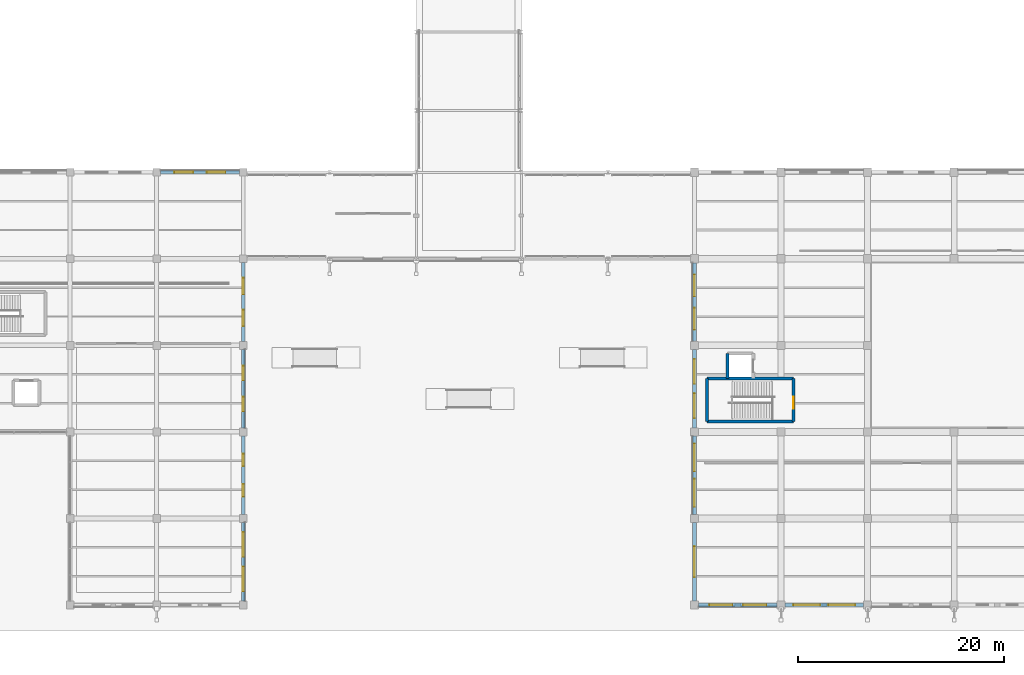
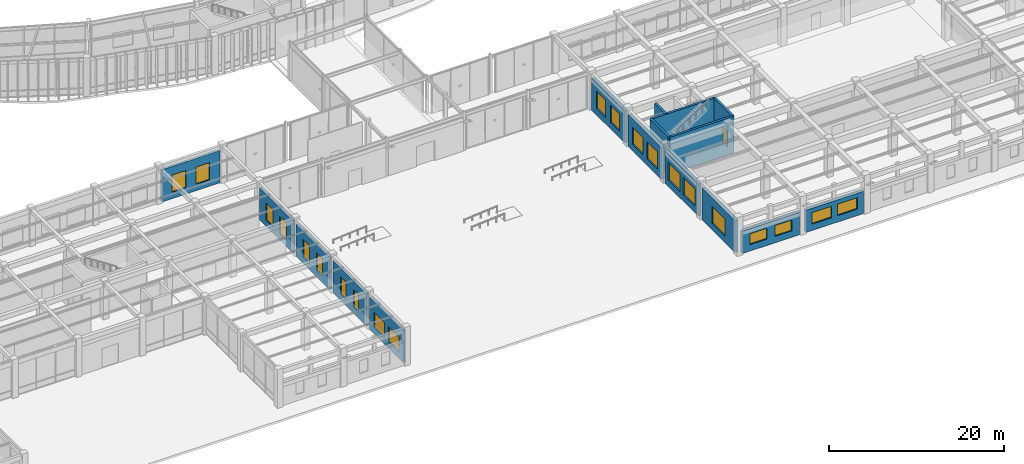
# One storey, part 126 of 157: 21 windows, 16 walls, 1 door, 22 openings.
"""IFC4 building model written with IfcOpenShell, lengths in metres."""

from ifc_helpers import new_model, si_unit, direction, frame, frame_2d, origin, place, context, subcontext, project, spatial, rectangle, extrude, material, layer, layer_set, type_object, element, fill, save


model = new_model("IFC4")

# Units and contexts
model_context = context("Model", 3, precision=1e-05, world=origin(), true_north=direction((0.0, 1.0)))
body_context = subcontext(model_context, "Body", "Model", "MODEL_VIEW")
ifc_project = project(units=[si_unit("LENGTHUNIT", "METRE"), si_unit("AREAUNIT", "SQUARE_METRE"), si_unit("VOLUMEUNIT", "CUBIC_METRE"), si_unit("PLANEANGLEUNIT", "RADIAN"), si_unit("MASSUNIT", "GRAM", prefix="KILO"), si_unit("THERMODYNAMICTEMPERATUREUNIT", "KELVIN"), si_unit("POWERUNIT", "WATT")], contexts=[model_context])

# Site, building, storey
site_placement = place(None, origin())
site = spatial("IfcSite", under=ifc_project, at=site_placement, CompositionType="ELEMENT")
building_placement = place(site_placement, origin())
building = spatial("IfcBuilding", under=site, at=building_placement, Name="Darbajah Civic Hall", CompositionType="ELEMENT")
storey_placement = place(building_placement, origin())
storey = spatial("IfcBuildingStorey", under=building, at=storey_placement, Name="L00", CompositionType="ELEMENT", Elevation=0.0)

# Wall
ifc_material_1 = material(Name="Concrete C45/55", Category="concrete")
ifc_layer_1 = layer(ifc_material_1, 0.300048828125, Name="Concrete C45/55")
ifc_layer_set_1 = layer_set([ifc_layer_1], Name="Concrete C45/55")
wall_type_1 = type_object("IfcWallType", Name="Core Shear Wall 300mm", PredefinedType="SHEAR", material=ifc_layer_set_1)
wall_1_placement = place(storey_placement, frame((112.199951171875, 17.800048828125, 0.0), z_axis=(0.0, 0.0, 1.0), x_axis=(1.0, 0.0, 0.0)))
element("IfcWall", 1, at=wall_1_placement, inside=storey, type_object=wall_type_1, Name="L00 core C06 shear wall S", PredefinedType="SHEAR", context=body_context, shape_type="SweptSolid", body=[
    extrude(rectangle(XDim=8.400146484375, YDim=0.300048828125, at=frame_2d((4.2001953125, 0.0))), origin(), (0.0, 0.0, 1.0), 5.1201171875),
])

# Wall, opening, door
wall_2_placement = place(storey_placement, frame((120.60009765625, 17.800048828125, 0.0), z_axis=(0.0, 0.0, 1.0), x_axis=(0.0, 1.0, 0.0)))
wall_2 = element("IfcWall", 2, at=wall_2_placement, inside=storey, type_object=wall_type_1, Name="L00 core C06 shear wall E", PredefinedType="SHEAR", context=body_context, shape_type="SweptSolid", body=[
    extrude(rectangle(XDim=4.199951171875, YDim=0.300048828125, at=frame_2d((2.10009765625, 0.0))), origin(), (0.0, 0.0, 1.0), 5.1201171875),
])
opening_1_placement = place(wall_2_placement, frame((1.25, 0.0, 0.0)))
opening_1 = element("IfcOpeningElement", 3, at=opening_1_placement, cuts=wall_2, Name="Opening SD-0073", PredefinedType="OPENING", context=body_context, shape_type="SweptSolid", body=[
    extrude(rectangle(XDim=1.14990234375, YDim=2.199951171875, at=frame_2d((0.574951171875, 1.10009765625))), frame((0.0, 0.159912109375, 0.0), z_axis=(0.0, -1.0, 0.0), x_axis=(1.0, 0.0, 0.0)), (0.0, 0.0, 1.0), 0.320068359375),
])
ifc_material_2 = material(Name="Steel Rated Core Door", Category="steel")
door_type = type_object("IfcDoorType", Name="Interior Door 1150x2200", OperationType="NOTDEFINED", PredefinedType="DOOR", material=ifc_material_2)
door_placement = place(opening_1_placement, frame((1.14990234375, 0.0, 0.0), z_axis=(0.0, 0.0, 1.0), x_axis=(-1.0, 0.0, 0.0)))
door = element("IfcDoor", 4, at=door_placement, inside=storey, type_object=door_type, Name="L00 stair ST06 fire door SD-0073", OperationType="SINGLE_SWING_RIGHT", OverallHeight=2.199951171875, OverallWidth=1.14990234375, PredefinedType="DOOR", context=body_context, shape_type="SweptSolid", body=[
    extrude(rectangle(XDim=1.14990234375, YDim=2.199951171875, at=frame_2d((0.574951171875, 1.10009765625))), frame((0.0, 0.02490234375, 0.0), z_axis=(0.0, -1.0, 0.0), x_axis=(1.0, 0.0, 0.0)), (0.0, 0.0, 1.0), 0.050048828125),
])
fill(opening_1, door)

# Walls
wall_3_placement = place(storey_placement, frame((120.60009765625, 22.0, 0.0), z_axis=(0.0, 0.0, 1.0), x_axis=(-1.0, 0.0, 0.0)))
element("IfcWall", 5, at=wall_3_placement, inside=storey, type_object=wall_type_1, Name="L00 core C06 shear wall N", PredefinedType="SHEAR", context=body_context, shape_type="SweptSolid", body=[
    extrude(rectangle(XDim=8.400146484375, YDim=0.300048828125, at=frame_2d((4.2001953125, 0.0))), origin(), (0.0, 0.0, 1.0), 5.1201171875),
])
wall_4_placement = place(storey_placement, frame((112.199951171875, 22.0, 0.0), z_axis=(0.0, 0.0, 1.0), x_axis=(0.0, -1.0, 0.0)))
element("IfcWall", 6, at=wall_4_placement, inside=storey, type_object=wall_type_1, Name="L00 core C06 shear wall W", PredefinedType="SHEAR", context=body_context, shape_type="SweptSolid", body=[
    extrude(rectangle(XDim=4.199951171875, YDim=0.300048828125, at=frame_2d((2.10009765625, 0.0))), origin(), (0.0, 0.0, 1.0), 5.1201171875),
])
wall_5_placement = place(storey_placement, frame((114.199951171875, 24.39990234375, 0.0), z_axis=(0.0, 0.0, 1.0), x_axis=(0.0, -1.0, 0.0)))
element("IfcWall", 7, at=wall_5_placement, inside=storey, type_object=wall_type_1, Name="L00 lift PL3 shaft wall W", PredefinedType="SHEAR", context=body_context, shape_type="SweptSolid", body=[
    extrude(rectangle(XDim=2.39990234375, YDim=0.300048828125, at=frame_2d((1.199951171875, 0.0))), origin(), (0.0, 0.0, 1.0), 5.1201171875),
])

# Wall, openings, windows
ifc_material_3 = material(Name="Red Dholpur Sandstone Cladding", Category="masonry")
ifc_layer_2 = layer(ifc_material_3, 0.31005859375, Name="Red Dholpur Sandstone Cladding")
ifc_layer_set_2 = layer_set([ifc_layer_2], Name="Red Dholpur Sandstone Cladding")
wall_type_2 = type_object("IfcWallType", Name="Exterior Wall 310mm", PredefinedType="SOLIDWALL", material=ifc_layer_set_2)
wall_6_placement = place(storey_placement, frame((67.199951171875, 0.376953125, 0.0), z_axis=(0.0, 0.0, 1.0), x_axis=(0.0, 1.0, 0.0)))
wall_6 = element("IfcWall", 8, at=wall_6_placement, inside=storey, type_object=wall_type_2, Name="L00 exterior wall EW-310", PredefinedType="SOLIDWALL", context=body_context, shape_type="SweptSolid", body=[
    extrude(rectangle(XDim=7.64599609375, YDim=0.31005859375, at=frame_2d((3.822998046875, 0.0))), origin(), (0.0, 0.0, 1.0), 4.489990234375),
])
opening_2_placement = place(wall_6_placement, frame((0.94873046875, 0.0, 0.89990234375)))
opening_2 = element("IfcOpeningElement", 9, at=opening_2_placement, cuts=wall_6, Name="Opening WN-08", PredefinedType="OPENING", context=body_context, shape_type="SweptSolid", body=[
    extrude(rectangle(XDim=2.39990234375, YDim=2.10009765625, at=frame_2d((1.199951171875, 1.050048828125))), frame((0.0, 0.1650390625, 0.0), z_axis=(0.0, -1.0, 0.0), x_axis=(1.0, 0.0, 0.0)), (0.0, 0.0, 1.0), 0.330078125),
])
opening_3_placement = place(wall_6_placement, frame((4.29736328125, 0.0, 0.89990234375)))
opening_3 = element("IfcOpeningElement", 10, at=opening_3_placement, cuts=wall_6, Name="Opening WN-08", PredefinedType="OPENING", context=body_context, shape_type="SweptSolid", body=[
    extrude(rectangle(XDim=2.39990234375, YDim=2.10009765625, at=frame_2d((1.199951171875, 1.050048828125))), frame((0.0, 0.1650390625, 0.0), z_axis=(0.0, -1.0, 0.0), x_axis=(1.0, 0.0, 0.0)), (0.0, 0.0, 1.0), 0.330078125),
])
ifc_material_4 = material(Name="Low-E Solar Control Double Glazing", Category="glass")
window_type_1 = type_object("IfcWindowType", Name="Facade Window 2400x2100", PartitioningType="DOUBLE_PANEL_VERTICAL", PredefinedType="WINDOW", material=ifc_material_4)
window_1_placement = place(opening_2_placement, origin())
window_1 = element("IfcWindow", 11, at=window_1_placement, inside=storey, type_object=window_type_1, Name="L00 facade window WN-08", OverallHeight=2.10009765625, OverallWidth=2.39990234375, PartitioningType="SINGLE_PANEL", PredefinedType="WINDOW", context=body_context, shape_type="SweptSolid", body=[
    extrude(rectangle(XDim=2.39990234375, YDim=2.10009765625, at=frame_2d((1.199951171875, 1.050048828125))), frame((0.0, 0.030029296875, 0.0), z_axis=(0.0, -1.0, 0.0), x_axis=(1.0, 0.0, 0.0)), (0.0, 0.0, 1.0), 0.06005859375),
])
fill(opening_2, window_1)
window_2_placement = place(opening_3_placement, origin())
window_2 = element("IfcWindow", 12, at=window_2_placement, inside=storey, type_object=window_type_1, Name="L00 facade window WN-08", OverallHeight=2.10009765625, OverallWidth=2.39990234375, PartitioningType="SINGLE_PANEL", PredefinedType="WINDOW", context=body_context, shape_type="SweptSolid", body=[
    extrude(rectangle(XDim=2.39990234375, YDim=2.10009765625, at=frame_2d((1.199951171875, 1.050048828125))), frame((0.0, 0.030029296875, 0.0), z_axis=(0.0, -1.0, 0.0), x_axis=(1.0, 0.0, 0.0)), (0.0, 0.0, 1.0), 0.06005859375),
])
fill(opening_3, window_2)

wall_7_placement = place(storey_placement, frame((67.199951171875, 8.777099609375, 0.0), z_axis=(0.0, 0.0, 1.0), x_axis=(0.0, 1.0, 0.0)))
wall_7 = element("IfcWall", 13, at=wall_7_placement, inside=storey, type_object=wall_type_2, Name="L00 exterior wall EW-310", PredefinedType="SOLIDWALL", context=body_context, shape_type="SweptSolid", body=[
    extrude(rectangle(XDim=7.64599609375, YDim=0.31005859375, at=frame_2d((3.822998046875, 0.0))), origin(), (0.0, 0.0, 1.0), 4.489990234375),
])
opening_4_placement = place(wall_7_placement, frame((1.748779296875, 0.0, 0.89990234375)))
opening_4 = element("IfcOpeningElement", 14, at=opening_4_placement, cuts=wall_7, Name="Opening WN-09", PredefinedType="OPENING", context=body_context, shape_type="SweptSolid", body=[
    extrude(rectangle(XDim=1.199951171875, YDim=2.39990234375, at=frame_2d((0.60009765625, 1.199951171875))), frame((0.0, 0.1650390625, 0.0), z_axis=(0.0, -1.0, 0.0), x_axis=(1.0, 0.0, 0.0)), (0.0, 0.0, 1.0), 0.330078125),
])
opening_5_placement = place(wall_7_placement, frame((4.697265625, 0.0, 0.89990234375)))
opening_5 = element("IfcOpeningElement", 15, at=opening_5_placement, cuts=wall_7, Name="Opening WN-09", PredefinedType="OPENING", context=body_context, shape_type="SweptSolid", body=[
    extrude(rectangle(XDim=1.199951171875, YDim=2.39990234375, at=frame_2d((0.60009765625, 1.199951171875))), frame((0.0, 0.1650390625, 0.0), z_axis=(0.0, -1.0, 0.0), x_axis=(1.0, 0.0, 0.0)), (0.0, 0.0, 1.0), 0.330078125),
])
window_type_2 = type_object("IfcWindowType", Name="Facade Window 1200x2400", PartitioningType="SINGLE_PANEL", PredefinedType="WINDOW", material=ifc_material_4)
window_3_placement = place(opening_4_placement, origin())
window_3 = element("IfcWindow", 16, at=window_3_placement, inside=storey, type_object=window_type_2, Name="L00 facade window WN-09", OverallHeight=2.39990234375, OverallWidth=1.199951171875, PartitioningType="SINGLE_PANEL", PredefinedType="WINDOW", context=body_context, shape_type="SweptSolid", body=[
    extrude(rectangle(XDim=1.199951171875, YDim=2.39990234375, at=frame_2d((0.60009765625, 1.199951171875))), frame((0.0, 0.030029296875, 0.0), z_axis=(0.0, -1.0, 0.0), x_axis=(1.0, 0.0, 0.0)), (0.0, 0.0, 1.0), 0.06005859375),
])
fill(opening_4, window_3)
window_4_placement = place(opening_5_placement, origin())
window_4 = element("IfcWindow", 17, at=window_4_placement, inside=storey, type_object=window_type_2, Name="L00 facade window WN-09", OverallHeight=2.39990234375, OverallWidth=1.199951171875, PartitioningType="SINGLE_PANEL", PredefinedType="WINDOW", context=body_context, shape_type="SweptSolid", body=[
    extrude(rectangle(XDim=1.199951171875, YDim=2.39990234375, at=frame_2d((0.60009765625, 1.199951171875))), frame((0.0, 0.030029296875, 0.0), z_axis=(0.0, -1.0, 0.0), x_axis=(1.0, 0.0, 0.0)), (0.0, 0.0, 1.0), 0.06005859375),
])
fill(opening_5, window_4)

wall_8_placement = place(storey_placement, frame((67.199951171875, 17.177001953125, 0.0), z_axis=(0.0, 0.0, 1.0), x_axis=(0.0, 1.0, 0.0)))
wall_8 = element("IfcWall", 18, at=wall_8_placement, inside=storey, type_object=wall_type_2, Name="L00 exterior wall EW-310", PredefinedType="SOLIDWALL", context=body_context, shape_type="SweptSolid", body=[
    extrude(rectangle(XDim=7.64599609375, YDim=0.31005859375, at=frame_2d((3.822998046875, 0.0))), origin(), (0.0, 0.0, 1.0), 4.489990234375),
])
opening_6_placement = place(wall_8_placement, frame((1.615234375, 0.0, 0.89990234375)))
opening_6 = element("IfcOpeningElement", 19, at=opening_6_placement, cuts=wall_8, Name="Opening WN-10", PredefinedType="OPENING", context=body_context, shape_type="SweptSolid", body=[
    extrude(rectangle(XDim=1.39990234375, YDim=2.39990234375, at=frame_2d((0.699951171875, 1.199951171875))), frame((0.0, 0.1650390625, 0.0), z_axis=(0.0, -1.0, 0.0), x_axis=(1.0, 0.0, 0.0)), (0.0, 0.0, 1.0), 0.330078125),
])
opening_7_placement = place(wall_8_placement, frame((4.630615234375, 0.0, 0.89990234375)))
opening_7 = element("IfcOpeningElement", 20, at=opening_7_placement, cuts=wall_8, Name="Opening WN-10", PredefinedType="OPENING", context=body_context, shape_type="SweptSolid", body=[
    extrude(rectangle(XDim=1.39990234375, YDim=2.39990234375, at=frame_2d((0.699951171875, 1.199951171875))), frame((0.0, 0.1650390625, 0.0), z_axis=(0.0, -1.0, 0.0), x_axis=(1.0, 0.0, 0.0)), (0.0, 0.0, 1.0), 0.330078125),
])
window_type_3 = type_object("IfcWindowType", Name="Facade Window 1400x2400", PartitioningType="SINGLE_PANEL", PredefinedType="WINDOW", material=ifc_material_4)
window_5_placement = place(opening_6_placement, origin())
window_5 = element("IfcWindow", 21, at=window_5_placement, inside=storey, type_object=window_type_3, Name="L00 facade window WN-10", OverallHeight=2.39990234375, OverallWidth=1.39990234375, PartitioningType="SINGLE_PANEL", PredefinedType="WINDOW", context=body_context, shape_type="SweptSolid", body=[
    extrude(rectangle(XDim=1.39990234375, YDim=2.39990234375, at=frame_2d((0.699951171875, 1.199951171875))), frame((0.0, 0.030029296875, 0.0), z_axis=(0.0, -1.0, 0.0), x_axis=(1.0, 0.0, 0.0)), (0.0, 0.0, 1.0), 0.06005859375),
])
fill(opening_6, window_5)
window_6_placement = place(opening_7_placement, origin())
window_6 = element("IfcWindow", 22, at=window_6_placement, inside=storey, type_object=window_type_3, Name="L00 facade window WN-10", OverallHeight=2.39990234375, OverallWidth=1.39990234375, PartitioningType="SINGLE_PANEL", PredefinedType="WINDOW", context=body_context, shape_type="SweptSolid", body=[
    extrude(rectangle(XDim=1.39990234375, YDim=2.39990234375, at=frame_2d((0.699951171875, 1.199951171875))), frame((0.0, 0.030029296875, 0.0), z_axis=(0.0, -1.0, 0.0), x_axis=(1.0, 0.0, 0.0)), (0.0, 0.0, 1.0), 0.06005859375),
])
fill(opening_7, window_6)

wall_9_placement = place(storey_placement, frame((67.199951171875, 25.576904296875, 0.0), z_axis=(0.0, 0.0, 1.0), x_axis=(0.0, 1.0, 0.0)))
wall_9 = element("IfcWall", 23, at=wall_9_placement, inside=storey, type_object=wall_type_2, Name="L00 exterior wall EW-310", PredefinedType="SOLIDWALL", context=body_context, shape_type="SweptSolid", body=[
    extrude(rectangle(XDim=7.64599609375, YDim=0.31005859375, at=frame_2d((3.822998046875, 0.0))), origin(), (0.0, 0.0, 1.0), 4.489990234375),
])
opening_8_placement = place(wall_9_placement, frame((1.48193359375, 0.0, 0.89990234375)))
opening_8 = element("IfcOpeningElement", 24, at=opening_8_placement, cuts=wall_9, Name="Opening WN-11", PredefinedType="OPENING", context=body_context, shape_type="SweptSolid", body=[
    extrude(rectangle(XDim=1.60009765625, YDim=2.39990234375, at=frame_2d((0.800048828125, 1.199951171875))), frame((0.0, 0.1650390625, 0.0), z_axis=(0.0, -1.0, 0.0), x_axis=(1.0, 0.0, 0.0)), (0.0, 0.0, 1.0), 0.330078125),
])
opening_9_placement = place(wall_9_placement, frame((4.56396484375, 0.0, 0.89990234375)))
opening_9 = element("IfcOpeningElement", 25, at=opening_9_placement, cuts=wall_9, Name="Opening WN-11", PredefinedType="OPENING", context=body_context, shape_type="SweptSolid", body=[
    extrude(rectangle(XDim=1.60009765625, YDim=2.39990234375, at=frame_2d((0.800048828125, 1.199951171875))), frame((0.0, 0.1650390625, 0.0), z_axis=(0.0, -1.0, 0.0), x_axis=(1.0, 0.0, 0.0)), (0.0, 0.0, 1.0), 0.330078125),
])
window_type_4 = type_object("IfcWindowType", Name="Facade Window 1600x2400", PartitioningType="DOUBLE_PANEL_VERTICAL", PredefinedType="WINDOW", material=ifc_material_4)
window_7_placement = place(opening_8_placement, origin())
window_7 = element("IfcWindow", 26, at=window_7_placement, inside=storey, type_object=window_type_4, Name="L00 facade window WN-11", OverallHeight=2.39990234375, OverallWidth=1.60009765625, PartitioningType="SINGLE_PANEL", PredefinedType="WINDOW", context=body_context, shape_type="SweptSolid", body=[
    extrude(rectangle(XDim=1.60009765625, YDim=2.39990234375, at=frame_2d((0.800048828125, 1.199951171875))), frame((0.0, 0.030029296875, 0.0), z_axis=(0.0, -1.0, 0.0), x_axis=(1.0, 0.0, 0.0)), (0.0, 0.0, 1.0), 0.06005859375),
])
fill(opening_8, window_7)
window_8_placement = place(opening_9_placement, origin())
window_8 = element("IfcWindow", 27, at=window_8_placement, inside=storey, type_object=window_type_4, Name="L00 facade window WN-11", OverallHeight=2.39990234375, OverallWidth=1.60009765625, PartitioningType="SINGLE_PANEL", PredefinedType="WINDOW", context=body_context, shape_type="SweptSolid", body=[
    extrude(rectangle(XDim=1.60009765625, YDim=2.39990234375, at=frame_2d((0.800048828125, 1.199951171875))), frame((0.0, 0.030029296875, 0.0), z_axis=(0.0, -1.0, 0.0), x_axis=(1.0, 0.0, 0.0)), (0.0, 0.0, 1.0), 0.06005859375),
])
fill(opening_9, window_8)

wall_10_placement = place(storey_placement, frame((66.822998046875, 42.0, 0.0), z_axis=(0.0, 0.0, 1.0), x_axis=(-1.0, 0.0, 0.0)))
wall_10 = element("IfcWall", 28, at=wall_10_placement, inside=storey, type_object=wall_type_2, Name="L00 exterior wall EW-310", PredefinedType="SOLIDWALL", context=body_context, shape_type="SweptSolid", body=[
    extrude(rectangle(XDim=7.64599609375, YDim=0.31005859375, at=frame_2d((3.822998046875, 0.0))), origin(), (0.0, 0.0, 1.0), 4.489990234375),
])
opening_10_placement = place(wall_10_placement, frame((1.3486328125, 0.0, 0.89990234375)))
opening_10 = element("IfcOpeningElement", 29, at=opening_10_placement, cuts=wall_10, Name="Opening WN-12", PredefinedType="OPENING", context=body_context, shape_type="SweptSolid", body=[
    extrude(rectangle(XDim=1.800048828125, YDim=2.39990234375, at=frame_2d((0.89990234375, 1.199951171875))), frame((0.0, 0.1650390625, 0.0), z_axis=(0.0, -1.0, 0.0), x_axis=(1.0, 0.0, 0.0)), (0.0, 0.0, 1.0), 0.330078125),
])
opening_11_placement = place(wall_10_placement, frame((4.497314453125, 0.0, 0.89990234375)))
opening_11 = element("IfcOpeningElement", 30, at=opening_11_placement, cuts=wall_10, Name="Opening WN-12", PredefinedType="OPENING", context=body_context, shape_type="SweptSolid", body=[
    extrude(rectangle(XDim=1.800048828125, YDim=2.39990234375, at=frame_2d((0.89990234375, 1.199951171875))), frame((0.0, 0.1650390625, 0.0), z_axis=(0.0, -1.0, 0.0), x_axis=(1.0, 0.0, 0.0)), (0.0, 0.0, 1.0), 0.330078125),
])
window_type_5 = type_object("IfcWindowType", Name="Facade Window 1800x2400", PartitioningType="DOUBLE_PANEL_VERTICAL", PredefinedType="WINDOW", material=ifc_material_4)
window_9_placement = place(opening_10_placement, origin())
window_9 = element("IfcWindow", 31, at=window_9_placement, inside=storey, type_object=window_type_5, Name="L00 facade window WN-12", OverallHeight=2.39990234375, OverallWidth=1.800048828125, PartitioningType="SINGLE_PANEL", PredefinedType="WINDOW", context=body_context, shape_type="SweptSolid", body=[
    extrude(rectangle(XDim=1.800048828125, YDim=2.39990234375, at=frame_2d((0.89990234375, 1.199951171875))), frame((0.0, 0.030029296875, 0.0), z_axis=(0.0, -1.0, 0.0), x_axis=(1.0, 0.0, 0.0)), (0.0, 0.0, 1.0), 0.06005859375),
])
fill(opening_10, window_9)
window_10_placement = place(opening_11_placement, origin())
window_10 = element("IfcWindow", 32, at=window_10_placement, inside=storey, type_object=window_type_5, Name="L00 facade window WN-12", OverallHeight=2.39990234375, OverallWidth=1.800048828125, PartitioningType="SINGLE_PANEL", PredefinedType="WINDOW", context=body_context, shape_type="SweptSolid", body=[
    extrude(rectangle(XDim=1.800048828125, YDim=2.39990234375, at=frame_2d((0.89990234375, 1.199951171875))), frame((0.0, 0.030029296875, 0.0), z_axis=(0.0, -1.0, 0.0), x_axis=(1.0, 0.0, 0.0)), (0.0, 0.0, 1.0), 0.06005859375),
])
fill(opening_11, window_10)

ifc_layer_3 = layer(ifc_material_3, 0.3798828125, Name="Red Dholpur Sandstone Cladding")
ifc_layer_set_3 = layer_set([ifc_layer_3], Name="Red Dholpur Sandstone Cladding")
wall_type_3 = type_object("IfcWallType", Name="Exterior Wall 380mm", PredefinedType="SOLIDWALL", material=ifc_layer_set_3)
wall_11_placement = place(storey_placement, frame((111.402099609375, 0.0, 0.0), z_axis=(0.0, 0.0, 1.0), x_axis=(1.0, 0.0, 0.0)))
wall_11 = element("IfcWall", 33, at=wall_11_placement, inside=storey, type_object=wall_type_3, Name="L00 exterior wall EW-380", PredefinedType="SOLIDWALL", context=body_context, shape_type="SweptSolid", body=[
    extrude(rectangle(XDim=7.595947265625, YDim=0.3798828125, at=frame_2d((3.7978515625, 0.0))), origin(), (0.0, 0.0, 1.0), 3.10009765625),
])
opening_12_placement = place(wall_11_placement, frame((1.031982421875, 0.0, 0.89990234375)))
opening_12 = element("IfcOpeningElement", 34, at=opening_12_placement, cuts=wall_11, Name="Opening WN-27", PredefinedType="OPENING", context=body_context, shape_type="SweptSolid", body=[
    extrude(rectangle(XDim=2.25, YDim=1.5, at=frame_2d((1.125, 0.75))), frame((0.0, 0.199951171875, 0.0), z_axis=(0.0, -1.0, 0.0), x_axis=(1.0, 0.0, 0.0)), (0.0, 0.0, 1.0), 0.39990234375),
])
opening_13_placement = place(wall_11_placement, frame((4.31396484375, 0.0, 0.89990234375)))
opening_13 = element("IfcOpeningElement", 35, at=opening_13_placement, cuts=wall_11, Name="Opening WN-27", PredefinedType="OPENING", context=body_context, shape_type="SweptSolid", body=[
    extrude(rectangle(XDim=2.25, YDim=1.5, at=frame_2d((1.125, 0.75))), frame((0.0, 0.199951171875, 0.0), z_axis=(0.0, -1.0, 0.0), x_axis=(1.0, 0.0, 0.0)), (0.0, 0.0, 1.0), 0.39990234375),
])
window_type_6 = type_object("IfcWindowType", Name="Facade Window 2250x1500", PartitioningType="DOUBLE_PANEL_VERTICAL", PredefinedType="WINDOW", material=ifc_material_4)
window_11_placement = place(opening_12_placement, origin())
window_11 = element("IfcWindow", 36, at=window_11_placement, inside=storey, type_object=window_type_6, Name="L00 facade window WN-27", OverallHeight=1.5, OverallWidth=2.25, PartitioningType="SINGLE_PANEL", PredefinedType="WINDOW", context=body_context, shape_type="SweptSolid", body=[
    extrude(rectangle(XDim=2.25, YDim=1.5, at=frame_2d((1.125, 0.75))), frame((0.0, 0.030029296875, 0.0), z_axis=(0.0, -1.0, 0.0), x_axis=(1.0, 0.0, 0.0)), (0.0, 0.0, 1.0), 0.06005859375),
])
fill(opening_12, window_11)
window_12_placement = place(opening_13_placement, origin())
window_12 = element("IfcWindow", 37, at=window_12_placement, inside=storey, type_object=window_type_6, Name="L00 facade window WN-27", OverallHeight=1.5, OverallWidth=2.25, PartitioningType="SINGLE_PANEL", PredefinedType="WINDOW", context=body_context, shape_type="SweptSolid", body=[
    extrude(rectangle(XDim=2.25, YDim=1.5, at=frame_2d((1.125, 0.75))), frame((0.0, 0.030029296875, 0.0), z_axis=(0.0, -1.0, 0.0), x_axis=(1.0, 0.0, 0.0)), (0.0, 0.0, 1.0), 0.06005859375),
])
fill(opening_13, window_12)

wall_12_placement = place(storey_placement, frame((119.802001953125, 0.0, 0.0), z_axis=(0.0, 0.0, 1.0), x_axis=(1.0, 0.0, 0.0)))
wall_12 = element("IfcWall", 38, at=wall_12_placement, inside=storey, type_object=wall_type_3, Name="L00 exterior wall EW-380", PredefinedType="SOLIDWALL", context=body_context, shape_type="SweptSolid", body=[
    extrude(rectangle(XDim=7.595947265625, YDim=0.3798828125, at=frame_2d((3.7978515625, 0.0))), origin(), (0.0, 0.0, 1.0), 3.10009765625),
])
opening_14_placement = place(wall_12_placement, frame((0.798583984375, 0.0, 0.89990234375)))
opening_14 = element("IfcOpeningElement", 39, at=opening_14_placement, cuts=wall_12, Name="Opening WN-28", PredefinedType="OPENING", context=body_context, shape_type="SweptSolid", body=[
    extrude(rectangle(XDim=2.60009765625, YDim=1.60009765625, at=frame_2d((1.300048828125, 0.800048828125))), frame((0.0, 0.199951171875, 0.0), z_axis=(0.0, -1.0, 0.0), x_axis=(1.0, 0.0, 0.0)), (0.0, 0.0, 1.0), 0.39990234375),
])
opening_15_placement = place(wall_12_placement, frame((4.197265625, 0.0, 0.89990234375)))
opening_15 = element("IfcOpeningElement", 40, at=opening_15_placement, cuts=wall_12, Name="Opening WN-28", PredefinedType="OPENING", context=body_context, shape_type="SweptSolid", body=[
    extrude(rectangle(XDim=2.60009765625, YDim=1.60009765625, at=frame_2d((1.300048828125, 0.800048828125))), frame((0.0, 0.199951171875, 0.0), z_axis=(0.0, -1.0, 0.0), x_axis=(1.0, 0.0, 0.0)), (0.0, 0.0, 1.0), 0.39990234375),
])
window_type_7 = type_object("IfcWindowType", Name="Facade Window 2600x1600", PartitioningType="DOUBLE_PANEL_VERTICAL", PredefinedType="WINDOW", material=ifc_material_4)
window_13_placement = place(opening_14_placement, origin())
window_13 = element("IfcWindow", 41, at=window_13_placement, inside=storey, type_object=window_type_7, Name="L00 facade window WN-28", OverallHeight=1.60009765625, OverallWidth=2.60009765625, PartitioningType="SINGLE_PANEL", PredefinedType="WINDOW", context=body_context, shape_type="SweptSolid", body=[
    extrude(rectangle(XDim=2.60009765625, YDim=1.60009765625, at=frame_2d((1.300048828125, 0.800048828125))), frame((0.0, 0.030029296875, 0.0), z_axis=(0.0, -1.0, 0.0), x_axis=(1.0, 0.0, 0.0)), (0.0, 0.0, 1.0), 0.06005859375),
])
fill(opening_14, window_13)
window_14_placement = place(opening_15_placement, origin())
window_14 = element("IfcWindow", 42, at=window_14_placement, inside=storey, type_object=window_type_7, Name="L00 facade window WN-28", OverallHeight=1.60009765625, OverallWidth=2.60009765625, PartitioningType="SINGLE_PANEL", PredefinedType="WINDOW", context=body_context, shape_type="SweptSolid", body=[
    extrude(rectangle(XDim=2.60009765625, YDim=1.60009765625, at=frame_2d((1.300048828125, 0.800048828125))), frame((0.0, 0.030029296875, 0.0), z_axis=(0.0, -1.0, 0.0), x_axis=(1.0, 0.0, 0.0)), (0.0, 0.0, 1.0), 0.06005859375),
])
fill(opening_15, window_14)

wall_13_placement = place(storey_placement, frame((111.0, 33.197998046875, 0.0), z_axis=(0.0, 0.0, 1.0), x_axis=(0.0, -1.0, 0.0)))
wall_13 = element("IfcWall", 43, at=wall_13_placement, inside=storey, type_object=wall_type_3, Name="L00 exterior wall EW-380", PredefinedType="SOLIDWALL", context=body_context, shape_type="SweptSolid", body=[
    extrude(rectangle(XDim=7.595947265625, YDim=0.3798828125, at=frame_2d((3.7978515625, 0.0))), origin(), (0.0, 0.0, 1.0), 4.449951171875),
])
opening_16_placement = place(wall_13_placement, frame((1.132080078125, 0.0, 0.89990234375)))
opening_16 = element("IfcOpeningElement", 44, at=opening_16_placement, cuts=wall_13, Name="Opening WN-13", PredefinedType="OPENING", context=body_context, shape_type="SweptSolid", body=[
    extrude(rectangle(XDim=2.10009765625, YDim=2.39990234375, at=frame_2d((1.050048828125, 1.199951171875))), frame((0.0, 0.199951171875, 0.0), z_axis=(0.0, -1.0, 0.0), x_axis=(1.0, 0.0, 0.0)), (0.0, 0.0, 1.0), 0.39990234375),
])
opening_17_placement = place(wall_13_placement, frame((4.364013671875, 0.0, 0.89990234375)))
opening_17 = element("IfcOpeningElement", 45, at=opening_17_placement, cuts=wall_13, Name="Opening WN-13", PredefinedType="OPENING", context=body_context, shape_type="SweptSolid", body=[
    extrude(rectangle(XDim=2.10009765625, YDim=2.39990234375, at=frame_2d((1.050048828125, 1.199951171875))), frame((0.0, 0.199951171875, 0.0), z_axis=(0.0, -1.0, 0.0), x_axis=(1.0, 0.0, 0.0)), (0.0, 0.0, 1.0), 0.39990234375),
])
window_type_8 = type_object("IfcWindowType", Name="Facade Window 2100x2400", PartitioningType="DOUBLE_PANEL_VERTICAL", PredefinedType="WINDOW", material=ifc_material_4)
window_15_placement = place(opening_16_placement, origin())
window_15 = element("IfcWindow", 46, at=window_15_placement, inside=storey, type_object=window_type_8, Name="L00 facade window WN-13", OverallHeight=2.39990234375, OverallWidth=2.10009765625, PartitioningType="SINGLE_PANEL", PredefinedType="WINDOW", context=body_context, shape_type="SweptSolid", body=[
    extrude(rectangle(XDim=2.10009765625, YDim=2.39990234375, at=frame_2d((1.050048828125, 1.199951171875))), frame((0.0, 0.030029296875, 0.0), z_axis=(0.0, -1.0, 0.0), x_axis=(1.0, 0.0, 0.0)), (0.0, 0.0, 1.0), 0.06005859375),
])
fill(opening_16, window_15)
window_16_placement = place(opening_17_placement, origin())
window_16 = element("IfcWindow", 47, at=window_16_placement, inside=storey, type_object=window_type_8, Name="L00 facade window WN-13", OverallHeight=2.39990234375, OverallWidth=2.10009765625, PartitioningType="SINGLE_PANEL", PredefinedType="WINDOW", context=body_context, shape_type="SweptSolid", body=[
    extrude(rectangle(XDim=2.10009765625, YDim=2.39990234375, at=frame_2d((1.050048828125, 1.199951171875))), frame((0.0, 0.030029296875, 0.0), z_axis=(0.0, -1.0, 0.0), x_axis=(1.0, 0.0, 0.0)), (0.0, 0.0, 1.0), 0.06005859375),
])
fill(opening_17, window_16)

wall_14_placement = place(storey_placement, frame((111.0, 24.798095703125, 0.0), z_axis=(0.0, 0.0, 1.0), x_axis=(0.0, -1.0, 0.0)))
wall_14 = element("IfcWall", 48, at=wall_14_placement, inside=storey, type_object=wall_type_3, Name="L00 exterior wall EW-380", PredefinedType="SOLIDWALL", context=body_context, shape_type="SweptSolid", body=[
    extrude(rectangle(XDim=7.59619140625, YDim=0.3798828125, at=frame_2d((3.798095703125, 0.0))), origin(), (0.0, 0.0, 1.0), 4.449951171875),
])
opening_18_placement = place(wall_14_placement, frame((0.931884765625, 0.0, 0.89990234375)))
opening_18 = element("IfcOpeningElement", 49, at=opening_18_placement, cuts=wall_14, Name="Opening WN-14", PredefinedType="OPENING", context=body_context, shape_type="SweptSolid", body=[
    extrude(rectangle(XDim=2.39990234375, YDim=2.39990234375, at=frame_2d((1.199951171875, 1.199951171875))), frame((0.0, 0.199951171875, 0.0), z_axis=(0.0, -1.0, 0.0), x_axis=(1.0, 0.0, 0.0)), (0.0, 0.0, 1.0), 0.39990234375),
])
opening_19_placement = place(wall_14_placement, frame((4.263916015625, 0.0, 0.89990234375)))
opening_19 = element("IfcOpeningElement", 50, at=opening_19_placement, cuts=wall_14, Name="Opening WN-14", PredefinedType="OPENING", context=body_context, shape_type="SweptSolid", body=[
    extrude(rectangle(XDim=2.39990234375, YDim=2.39990234375, at=frame_2d((1.199951171875, 1.199951171875))), frame((0.0, 0.199951171875, 0.0), z_axis=(0.0, -1.0, 0.0), x_axis=(1.0, 0.0, 0.0)), (0.0, 0.0, 1.0), 0.39990234375),
])
window_type_9 = type_object("IfcWindowType", Name="Facade Window 2400x2400", PartitioningType="DOUBLE_PANEL_VERTICAL", PredefinedType="WINDOW", material=ifc_material_4)
window_17_placement = place(opening_18_placement, origin())
window_17 = element("IfcWindow", 51, at=window_17_placement, inside=storey, type_object=window_type_9, Name="L00 facade window WN-14", OverallHeight=2.39990234375, OverallWidth=2.39990234375, PartitioningType="SINGLE_PANEL", PredefinedType="WINDOW", context=body_context, shape_type="SweptSolid", body=[
    extrude(rectangle(XDim=2.39990234375, YDim=2.39990234375, at=frame_2d((1.199951171875, 1.199951171875))), frame((0.0, 0.030029296875, 0.0), z_axis=(0.0, -1.0, 0.0), x_axis=(1.0, 0.0, 0.0)), (0.0, 0.0, 1.0), 0.06005859375),
])
fill(opening_18, window_17)
window_18_placement = place(opening_19_placement, origin())
window_18 = element("IfcWindow", 52, at=window_18_placement, inside=storey, type_object=window_type_9, Name="L00 facade window WN-14", OverallHeight=2.39990234375, OverallWidth=2.39990234375, PartitioningType="SINGLE_PANEL", PredefinedType="WINDOW", context=body_context, shape_type="SweptSolid", body=[
    extrude(rectangle(XDim=2.39990234375, YDim=2.39990234375, at=frame_2d((1.199951171875, 1.199951171875))), frame((0.0, 0.030029296875, 0.0), z_axis=(0.0, -1.0, 0.0), x_axis=(1.0, 0.0, 0.0)), (0.0, 0.0, 1.0), 0.06005859375),
])
fill(opening_19, window_18)

wall_15_placement = place(storey_placement, frame((111.0, 16.39794921875, 0.0), z_axis=(0.0, 0.0, 1.0), x_axis=(0.0, -1.0, 0.0)))
wall_15 = element("IfcWall", 53, at=wall_15_placement, inside=storey, type_object=wall_type_3, Name="L00 exterior wall EW-380", PredefinedType="SOLIDWALL", context=body_context, shape_type="SweptSolid", body=[
    extrude(rectangle(XDim=7.595947265625, YDim=0.3798828125, at=frame_2d((3.7978515625, 0.0))), origin(), (0.0, 0.0, 1.0), 4.449951171875),
])
opening_20_placement = place(wall_15_placement, frame((0.73193359375, 0.0, 0.89990234375)))
opening_20 = element("IfcOpeningElement", 54, at=opening_20_placement, cuts=wall_15, Name="Opening WN-15", PredefinedType="OPENING", context=body_context, shape_type="SweptSolid", body=[
    extrude(rectangle(XDim=2.699951171875, YDim=2.39990234375, at=frame_2d((1.35009765625, 1.199951171875))), frame((0.0, 0.199951171875, 0.0), z_axis=(0.0, -1.0, 0.0), x_axis=(1.0, 0.0, 0.0)), (0.0, 0.0, 1.0), 0.39990234375),
])
opening_21_placement = place(wall_15_placement, frame((4.1640625, 0.0, 0.89990234375)))
opening_21 = element("IfcOpeningElement", 55, at=opening_21_placement, cuts=wall_15, Name="Opening WN-15", PredefinedType="OPENING", context=body_context, shape_type="SweptSolid", body=[
    extrude(rectangle(XDim=2.699951171875, YDim=2.39990234375, at=frame_2d((1.35009765625, 1.199951171875))), frame((0.0, 0.199951171875, 0.0), z_axis=(0.0, -1.0, 0.0), x_axis=(1.0, 0.0, 0.0)), (0.0, 0.0, 1.0), 0.39990234375),
])
window_type_10 = type_object("IfcWindowType", Name="Facade Window 2700x2400", PartitioningType="DOUBLE_PANEL_VERTICAL", PredefinedType="WINDOW", material=ifc_material_4)
window_19_placement = place(opening_20_placement, origin())
window_19 = element("IfcWindow", 56, at=window_19_placement, inside=storey, type_object=window_type_10, Name="L00 facade window WN-15", OverallHeight=2.39990234375, OverallWidth=2.699951171875, PartitioningType="SINGLE_PANEL", PredefinedType="WINDOW", context=body_context, shape_type="SweptSolid", body=[
    extrude(rectangle(XDim=2.699951171875, YDim=2.39990234375, at=frame_2d((1.35009765625, 1.199951171875))), frame((0.0, 0.030029296875, 0.0), z_axis=(0.0, -1.0, 0.0), x_axis=(1.0, 0.0, 0.0)), (0.0, 0.0, 1.0), 0.06005859375),
])
fill(opening_20, window_19)
window_20_placement = place(opening_21_placement, origin())
window_20 = element("IfcWindow", 57, at=window_20_placement, inside=storey, type_object=window_type_10, Name="L00 facade window WN-15", OverallHeight=2.39990234375, OverallWidth=2.699951171875, PartitioningType="SINGLE_PANEL", PredefinedType="WINDOW", context=body_context, shape_type="SweptSolid", body=[
    extrude(rectangle(XDim=2.699951171875, YDim=2.39990234375, at=frame_2d((1.35009765625, 1.199951171875))), frame((0.0, 0.030029296875, 0.0), z_axis=(0.0, -1.0, 0.0), x_axis=(1.0, 0.0, 0.0)), (0.0, 0.0, 1.0), 0.06005859375),
])
fill(opening_21, window_20)

# Wall, opening, window
wall_16_placement = place(storey_placement, frame((111.0, 7.998046875, 0.0), z_axis=(0.0, 0.0, 1.0), x_axis=(0.0, -1.0, 0.0)))
wall_16 = element("IfcWall", 58, at=wall_16_placement, inside=storey, type_object=wall_type_3, Name="L00 exterior wall EW-380", PredefinedType="SOLIDWALL", context=body_context, shape_type="SweptSolid", body=[
    extrude(rectangle(XDim=7.595947265625, YDim=0.3798828125, at=frame_2d((3.7978515625, 0.0))), origin(), (0.0, 0.0, 1.0), 4.449951171875),
])
opening_22_placement = place(wall_16_placement, frame((2.298095703125, 0.0, 0.89990234375)))
opening_22 = element("IfcOpeningElement", 59, at=opening_22_placement, cuts=wall_16, Name="Opening WN-16", PredefinedType="OPENING", context=body_context, shape_type="SweptSolid", body=[
    extrude(rectangle(XDim=3.0, YDim=2.39990234375, at=frame_2d((1.5, 1.199951171875))), frame((0.0, 0.199951171875, 0.0), z_axis=(0.0, -1.0, 0.0), x_axis=(1.0, 0.0, 0.0)), (0.0, 0.0, 1.0), 0.39990234375),
])
window_type_11 = type_object("IfcWindowType", Name="Facade Window 3000x2400", PartitioningType="DOUBLE_PANEL_VERTICAL", PredefinedType="WINDOW", material=ifc_material_4)
window_21_placement = place(opening_22_placement, origin())
window_21 = element("IfcWindow", 60, at=window_21_placement, inside=storey, type_object=window_type_11, Name="L00 facade window WN-16", OverallHeight=2.39990234375, OverallWidth=3.0, PartitioningType="SINGLE_PANEL", PredefinedType="WINDOW", context=body_context, shape_type="SweptSolid", body=[
    extrude(rectangle(XDim=3.0, YDim=2.39990234375, at=frame_2d((1.5, 1.199951171875))), frame((0.0, 0.030029296875, 0.0), z_axis=(0.0, -1.0, 0.0), x_axis=(1.0, 0.0, 0.0)), (0.0, 0.0, 1.0), 0.06005859375),
])
fill(opening_22, window_21)

save(model, "model.ifc")
